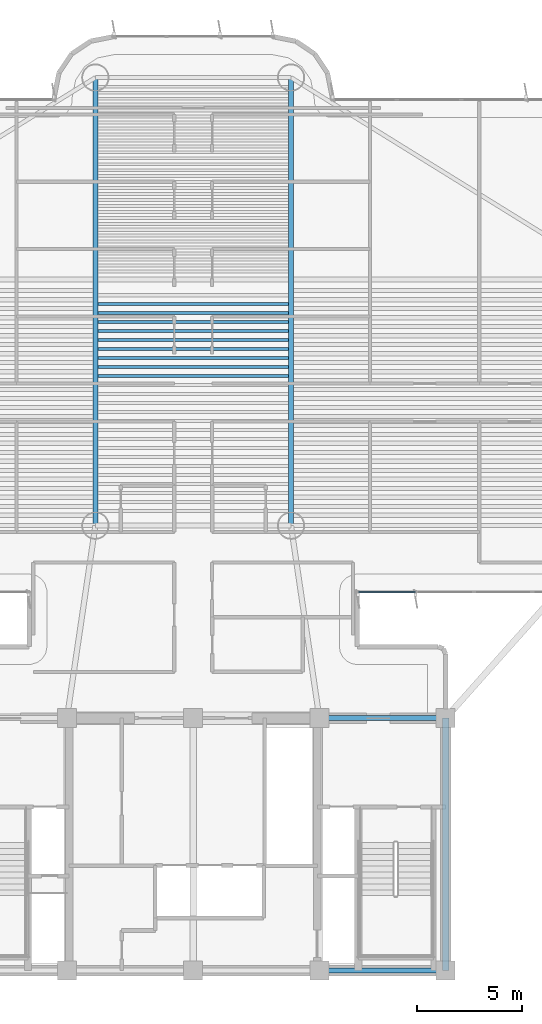
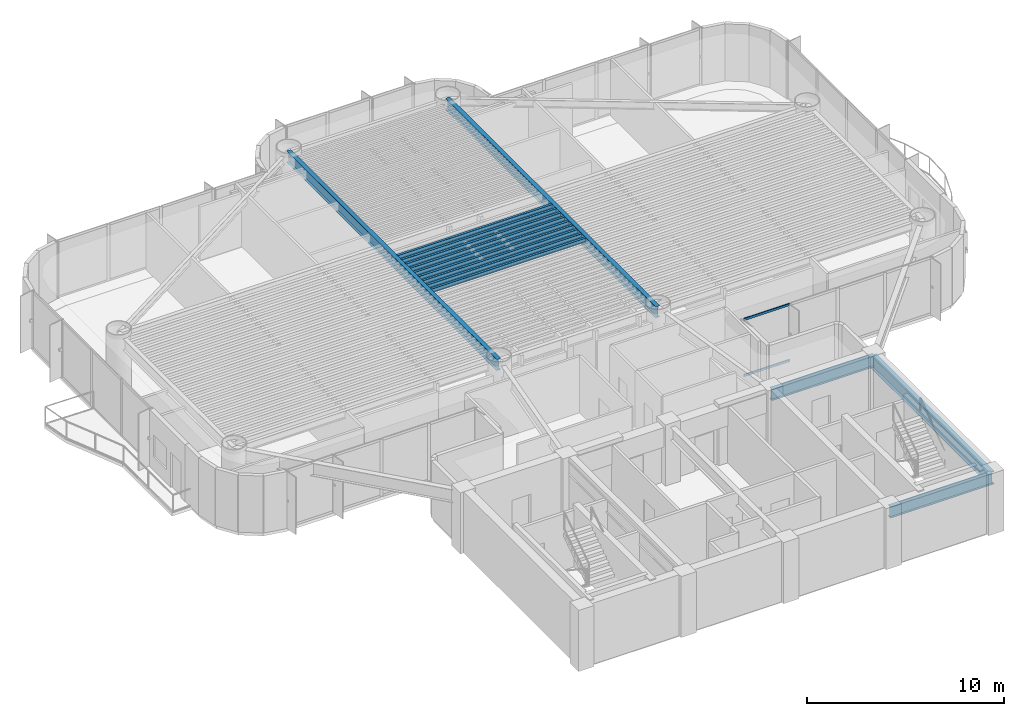
# One storey, part 3 of 16: 14 beams, 2 members, 1 element without a shape of its own.
"""IFC4 building model written with IfcOpenShell, lengths in metres."""

from ifc_helpers import new_model, si_unit, direction, frame, origin, origin_2d, place, context, subcontext, project, spatial, rectangle, i_section, extrude, source, transform, mapped, material, layer, layer_set, material_profile, profile_set, type_object, element, aggregate, save


model = new_model("IFC4")

# Units and contexts
model_context = context("Model", 3, precision=1e-05, world=origin(), true_north=direction((0.0, 1.0)))
body_context = subcontext(model_context, "Body", "Model", "MODEL_VIEW")
ifc_project = project(units=[si_unit("LENGTHUNIT", "METRE"), si_unit("AREAUNIT", "SQUARE_METRE"), si_unit("VOLUMEUNIT", "CUBIC_METRE"), si_unit("PLANEANGLEUNIT", "RADIAN"), si_unit("MASSUNIT", "GRAM", prefix="KILO")], contexts=[model_context])

# Site, building, storey
site_placement = place(None, origin())
site = spatial("IfcSite", under=ifc_project, at=site_placement, CompositionType="ELEMENT")
building_placement = place(site_placement, origin())
building = spatial("IfcBuilding", under=site, at=building_placement, Name="Brelvock Crest Care Tower", CompositionType="ELEMENT")
storey_placement = place(building_placement, frame((0.0, 0.0, 104.93994140625)))
storey = spatial("IfcBuildingStorey", under=building, at=storey_placement, Name="L26", CompositionType="ELEMENT", Elevation=104.93994140625)

# Beams
ifc_material_1 = material(Name="Steel Grade 350", Category="steel")
ifc_material_profile_1 = material_profile(ifc_material_1, i_section(OverallWidth=0.25, OverallDepth=0.699951171875, WebThickness=0.011962890625, FlangeThickness=0.02001953125, at=origin_2d()), Name="700WB150")
ifc_profile_set_1 = profile_set([ifc_material_profile_1], Name="Steel Grade 350")
beam_type_1 = type_object("IfcBeamType", Name="BM-G4", PredefinedType="BEAM", material=ifc_profile_set_1)
shared_shape_1 = source(origin(), body_context, "Body", "SweptSolid", [
    extrude(i_section(OverallWidth=0.25, OverallDepth=0.699951171875, WebThickness=0.011962890625, FlangeThickness=0.02001953125, at=origin_2d()), origin(), (0.0, 0.0, 1.0), 6.0),
])
for number, where, z_axis, x_axis, name in (
    (1, (42.0, 6.0, 3.18017578125), (1.0, 0.0, 0.0), (0.0, 1.0, 0.0), "BM-CORES-L26-4"),
    (2, (42.0, 18.0, 3.18017578125), (1.0, 0.0, 0.0), (0.0, 1.0, 0.0), "BM-COREN-L26-4"),
):
    element("IfcBeam", number, at=place(storey_placement, frame(where, z_axis=z_axis, x_axis=x_axis)), inside=storey, type_object=beam_type_1, Name=name, PredefinedType="BEAM", context=body_context, shape_type="MappedRepresentation", body=[
        mapped(shared_shape_1, transform((0.0, 0.0, 0.0), x_axis=(1.0, 0.0, 0.0), y_axis=(0.0, 1.0, 0.0), z_axis=(0.0, 0.0, 1.0), scale=1.0)),
    ])
ifc_material_profile_2 = material_profile(ifc_material_1, i_section(OverallWidth=0.300048828125, OverallDepth=0.800048828125, WebThickness=0.013916015625, FlangeThickness=0.02197265625, at=origin_2d()), Name="800WB192")
ifc_profile_set_2 = profile_set([ifc_material_profile_2], Name="Steel Grade 350")
beam_type_2 = type_object("IfcBeamType", Name="BM-G5", PredefinedType="BEAM", material=ifc_profile_set_2)
shared_shape_2 = source(origin(), body_context, "Body", "SweptSolid", [
    extrude(i_section(OverallWidth=0.300048828125, OverallDepth=0.800048828125, WebThickness=0.013916015625, FlangeThickness=0.02197265625, at=origin_2d()), origin(), (0.0, 0.0, 1.0), 12.0),
])
beam_placement = place(storey_placement, frame((48.0, 6.0, 3.130126953125), z_axis=(0.0, 1.0, 0.0), x_axis=(-1.0, 0.0, 0.0)))
element("IfcBeam", 3, at=beam_placement, inside=storey, type_object=beam_type_2, Name="BM-COREX-L26-5", PredefinedType="BEAM", context=body_context, shape_type="MappedRepresentation", body=[
    mapped(shared_shape_2, transform((0.0, 0.0, 0.0), x_axis=(1.0, 0.0, 0.0), y_axis=(0.0, 1.0, 0.0), z_axis=(0.0, 0.0, 1.0), scale=1.0)),
])
ifc_material_profile_3 = material_profile(ifc_material_1, i_section(OverallWidth=0.14599609375, OverallDepth=0.256103515625, WebThickness=0.00634765625, FlangeThickness=0.010986328125, FilletRadius=0.0087890625, at=origin_2d()), Name="250UB37.3")
ifc_profile_set_3 = profile_set([ifc_material_profile_3], Name="Steel Grade 350")
beam_type_3 = type_object("IfcBeamType", Name="BM-J3", PredefinedType="JOIST", material=ifc_profile_set_3)
shared_shape_3 = source(origin(), body_context, "Body", "SweptSolid", [
    extrude(i_section(OverallWidth=0.14599609375, OverallDepth=0.256103515625, WebThickness=0.00634765625, FlangeThickness=0.010986328125, FilletRadius=0.0087890625, at=origin_2d()), origin(), (0.0, 0.0, 1.0), 9.06982421875),
])
for number, where, z_axis, x_axis, name in (
    (4, (31.465087890625, 34.2607421875, 3.402099609375), (1.0, 0.0, 0.0), (0.0, 1.0, 0.0), "BM-JH-L26-16"),
    (5, (31.465087890625, 34.687744140625, 3.402099609375), (1.0, 0.0, 0.0), (0.0, 1.0, 0.0), "BM-JH-L26-17"),
    (6, (31.465087890625, 35.11474609375, 3.402099609375), (1.0, 0.0, 0.0), (0.0, 1.0, 0.0), "BM-JH-L26-18"),
    (7, (31.465087890625, 35.541748046875, 3.402099609375), (1.0, 0.0, 0.0), (0.0, 1.0, 0.0), "BM-JH-L26-19"),
    (8, (31.465087890625, 35.96875, 3.402099609375), (1.0, 0.0, 0.0), (0.0, 1.0, 0.0), "BM-JH-L26-20"),
    (9, (31.465087890625, 36.39599609375, 3.402099609375), (1.0, 0.0, 0.0), (0.0, 1.0, 0.0), "BM-JH-L26-21"),
    (10, (31.465087890625, 36.822998046875, 3.402099609375), (1.0, 0.0, 0.0), (0.0, 1.0, 0.0), "BM-JH-L26-22"),
    (11, (31.465087890625, 37.25, 3.402099609375), (1.0, 0.0, 0.0), (0.0, 1.0, 0.0), "BM-JH-L26-23"),
    (12, (31.465087890625, 37.677001953125, 3.402099609375), (1.0, 0.0, 0.0), (0.0, 1.0, 0.0), "BM-JH-L26-24"),
):
    element("IfcBeam", number, at=place(storey_placement, frame(where, z_axis=z_axis, x_axis=x_axis)), inside=storey, type_object=beam_type_3, Name=name, PredefinedType="JOIST", context=body_context, shape_type="MappedRepresentation", body=[
        mapped(shared_shape_3, transform((0.0, 0.0, 0.0), x_axis=(1.0, 0.0, 0.0), y_axis=(0.0, 1.0, 0.0), z_axis=(0.0, 0.0, 1.0), scale=1.0)),
    ])
shared_shape_4 = source(origin(), body_context, "Body", "SweptSolid", [
    extrude(i_section(OverallWidth=0.25, OverallDepth=0.699951171875, WebThickness=0.011962890625, FlangeThickness=0.02001953125, at=origin_2d()), origin(), (0.0, 0.0, 1.0), 21.300048828125),
])
for number, where, z_axis, x_axis, name in (
    (13, (31.35009765625, 27.14990234375, 3.18017578125), (0.0, 1.0, 0.0), (-1.0, 0.0, 0.0), "BM-TWR-L26-09"),
    (14, (40.64990234375, 27.14990234375, 3.18017578125), (0.0, 1.0, 0.0), (-1.0, 0.0, 0.0), "BM-TWR-L26-10"),
):
    element("IfcBeam", number, at=place(storey_placement, frame(where, z_axis=z_axis, x_axis=x_axis)), inside=storey, type_object=beam_type_1, Name=name, PredefinedType="BEAM", context=body_context, shape_type="MappedRepresentation", body=[
        mapped(shared_shape_4, transform((0.0, 0.0, 0.0), x_axis=(1.0, 0.0, 0.0), y_axis=(0.0, 1.0, 0.0), z_axis=(0.0, 0.0, 1.0), scale=1.0)),
    ])

# Curtain wall, members
ifc_material_2 = material(Name="Dark Glass Double Glazed Low-E", Category="glass")
ifc_layer = layer(ifc_material_2, 0.2099609375, Name="CWS-3")
ifc_layer_set = layer_set([ifc_layer], Name="Dark Glass Double Glazed Low-E")
curtain_wall_type = type_object("IfcCurtainWallType", Name="CWS-3", PredefinedType="NOTDEFINED", material=ifc_layer_set)
curtain_wall_placement = place(storey_placement, origin())
curtain_wall = element("IfcCurtainWall", 15, at=curtain_wall_placement, inside=storey, type_object=curtain_wall_type, Name="L26 Curtain Wall E44", PredefinedType="NOTDEFINED")
ifc_material_3 = material(Name="Aluminium 6063-T6", Category="aluminium")
ifc_material_profile_4 = material_profile(ifc_material_3, rectangle(XDim=0.06005859375, YDim=0.139892578125, at=origin_2d()), Name="ALU60x140")
ifc_profile_set_4 = profile_set([ifc_material_profile_4], Name="Aluminium 6063-T6")
member_type = type_object("IfcMemberType", Name="CWT-2", PredefinedType="USERDEFINED", material=ifc_profile_set_4)
shared_shape_5 = source(origin(), body_context, "Body", "SweptSolid", [
    extrude(rectangle(XDim=0.06005859375, YDim=0.139892578125, at=origin_2d()), origin(), (0.0, 0.0, 1.0), 2.684814453125),
])
member_1_placement = place(storey_placement, frame((46.544921875, 24.0, 0.030029296875), z_axis=(-1.0, 0.0, 0.0), x_axis=(0.0, -1.0, 0.0)))
member_1 = element("IfcMember", 16, at=member_1_placement, type_object=member_type, Name="CW-3 transom 4.1", ObjectType="TRANSOM", PredefinedType="USERDEFINED", context=body_context, shape_type="MappedRepresentation", body=[
    mapped(shared_shape_5, transform((0.0, 0.0, 0.0), x_axis=(1.0, 0.0, 0.0), y_axis=(0.0, 1.0, 0.0), z_axis=(0.0, 0.0, 1.0), scale=1.0)),
])
member_2_placement = place(storey_placement, frame((46.544921875, 24.0, 3.5), z_axis=(-1.0, 0.0, 0.0), x_axis=(0.0, -1.0, 0.0)))
member_2 = element("IfcMember", 17, at=member_2_placement, type_object=member_type, Name="CW-3 transom 4.2", ObjectType="TRANSOM", PredefinedType="USERDEFINED", context=body_context, shape_type="MappedRepresentation", body=[
    mapped(shared_shape_5, transform((0.0, 0.0, 0.0), x_axis=(1.0, 0.0, 0.0), y_axis=(0.0, 1.0, 0.0), z_axis=(0.0, 0.0, 1.0), scale=1.0)),
])
aggregate(curtain_wall, [member_1, member_2])

save(model, "model.ifc")
